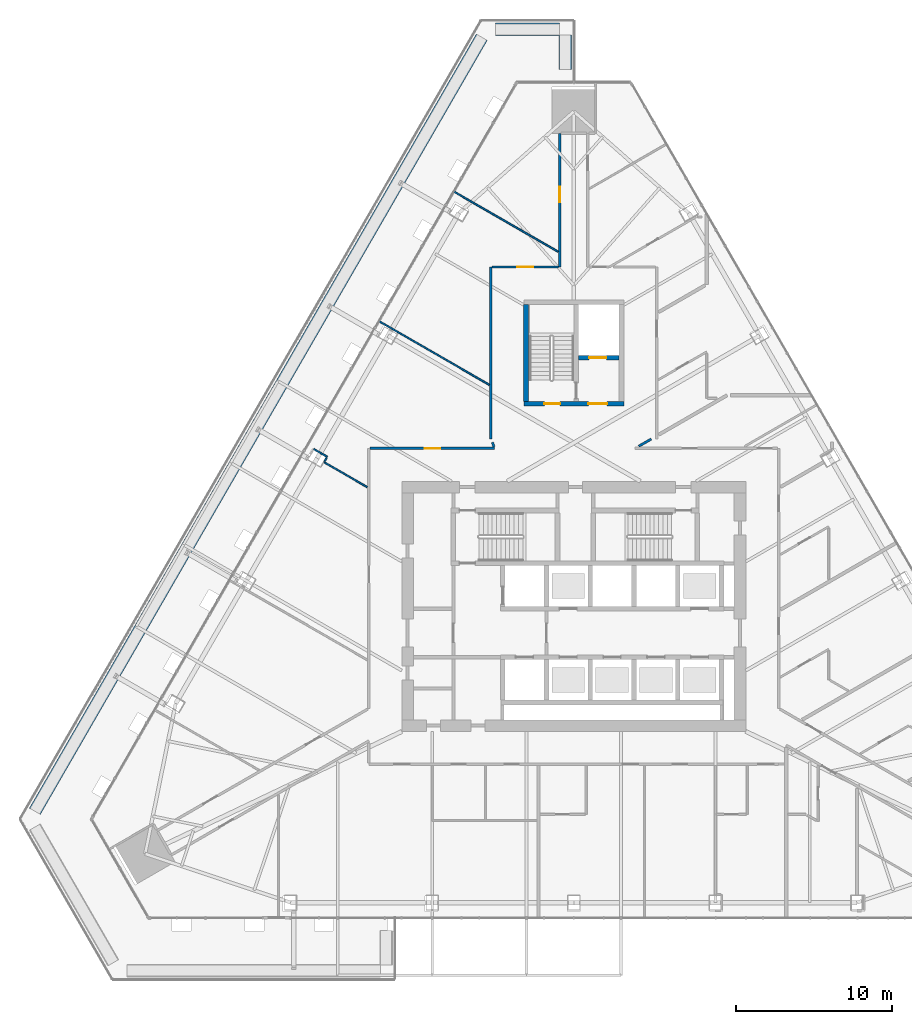
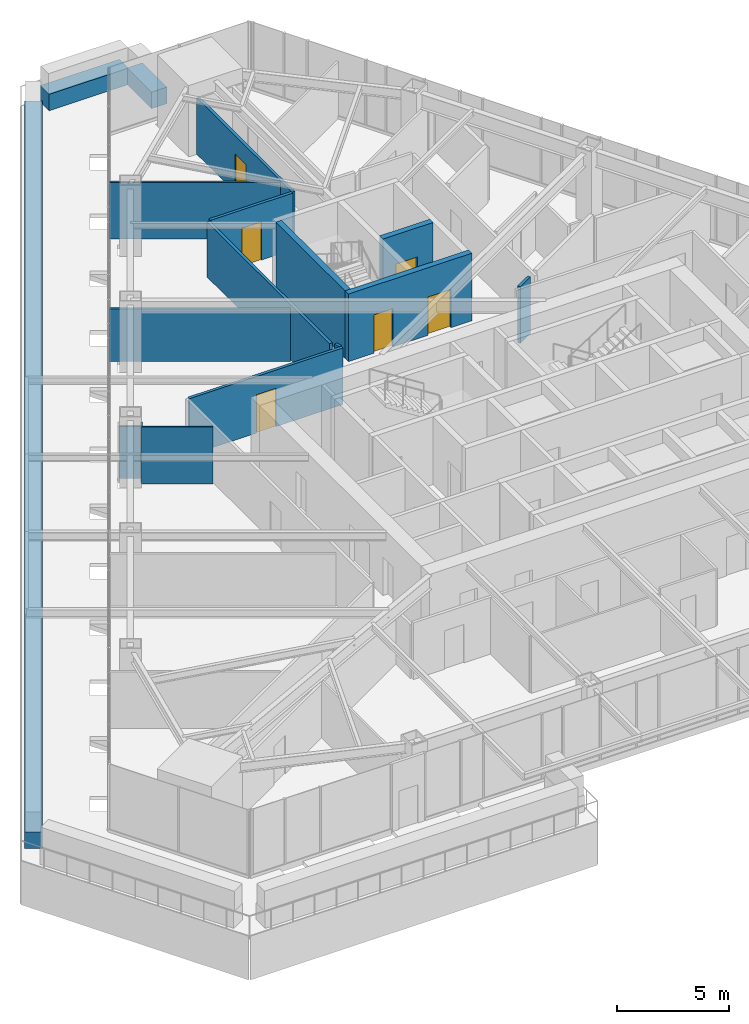
# One storey, part 30 of 35: 17 walls, 6 doors, 6 openings.
"""IFC4 building model written with IfcOpenShell, lengths in metres."""

from ifc_helpers import new_model, si_unit, direction, frame, frame_2d, origin, place, context, subcontext, project, spatial, rectangle, extrude, material, layer, layer_set, type_object, element, fill, save


model = new_model("IFC4")

# Units and contexts
model_context = context("Model", 3, precision=1e-05, world=origin(), true_north=direction((0.0, 1.0)))
body_context = subcontext(model_context, "Body", "Model", "MODEL_VIEW")
ifc_project = project(units=[si_unit("LENGTHUNIT", "METRE"), si_unit("AREAUNIT", "SQUARE_METRE"), si_unit("VOLUMEUNIT", "CUBIC_METRE"), si_unit("PLANEANGLEUNIT", "RADIAN"), si_unit("MASSUNIT", "GRAM", prefix="KILO")], contexts=[model_context])

# Site, building, storey
site_placement = place(None, origin())
site = spatial("IfcSite", under=ifc_project, at=site_placement, CompositionType="ELEMENT")
building_placement = place(site_placement, origin())
building = spatial("IfcBuilding", under=site, at=building_placement, Name="Firuza Gate Tower and Library", CompositionType="ELEMENT")
storey_placement = place(building_placement, frame((0.0, 0.0, 159.699951171875)))
storey = spatial("IfcBuildingStorey", under=building, at=storey_placement, Name="L36", CompositionType="ELEMENT", Elevation=159.699951171875)

# Wall, openings, doors
ifc_material_1 = material(Name="Concrete C80/95", Category="concrete")
ifc_layer_1 = layer(ifc_material_1, 0.300048828125)
ifc_layer_set_1 = layer_set([ifc_layer_1], Name="Core wall 300 C80/95")
wall_type_1 = type_object("IfcWallType", Name="Core wall 300 C80/95", PredefinedType="SHEAR", material=ifc_layer_set_1)
wall_1_placement = place(storey_placement, frame((71.800048828125, 87.949951171875, 0.0), z_axis=(0.0, 0.0, 1.0), x_axis=(1.0, 0.0, 0.0)))
wall_1 = element("IfcWall", 1, at=wall_1_placement, inside=storey, type_object=wall_type_1, Name="Core wall L36 27", PredefinedType="SHEAR", context=body_context, shape_type="SweptSolid", body=[
    extrude(rectangle(XDim=6.39990234375, YDim=0.300048828125, at=frame_2d((3.199951171875, 0.0))), origin(), (0.0, 0.0, 1.0), 3.699951171875),
])
opening_1_placement = place(wall_1_placement, frame((1.324951171875, 0.0, 0.0)))
opening_1 = element("IfcOpeningElement", 2, at=opening_1_placement, cuts=wall_1, Name="Opening L36-K15", PredefinedType="OPENING", context=body_context, shape_type="SweptSolid", body=[
    extrude(rectangle(XDim=1.0, YDim=2.10009765625, at=frame_2d((0.5, 1.050048828125))), frame((0.0, 0.16015625, 0.0), z_axis=(0.0, -1.0, 0.0), x_axis=(1.0, 0.0, 0.0)), (0.0, 0.0, 1.0), 0.320068359375),
])
opening_2_placement = place(wall_1_placement, frame((4.125, 0.0, 0.0)))
opening_2 = element("IfcOpeningElement", 3, at=opening_2_placement, cuts=wall_1, Name="Opening L36-K17", PredefinedType="OPENING", context=body_context, shape_type="SweptSolid", body=[
    extrude(rectangle(XDim=1.199951171875, YDim=2.10009765625, at=frame_2d((0.60009765625, 1.050048828125))), frame((0.0, 0.16015625, 0.0), z_axis=(0.0, -1.0, 0.0), x_axis=(1.0, 0.0, 0.0)), (0.0, 0.0, 1.0), 0.320068359375),
])
ifc_material_2 = material(Name="Steel", Category="steel")
door_type_1 = type_object("IfcDoorType", Name="Fire door 1000x2100 FD90", OperationType="NOTDEFINED", PredefinedType="DOOR", material=ifc_material_2)
door_1_placement = place(opening_1_placement, origin())
door_1 = element("IfcDoor", 4, at=door_1_placement, inside=storey, type_object=door_type_1, Name="Door L36-K15", OperationType="SINGLE_SWING_RIGHT", OverallHeight=2.10009765625, OverallWidth=1.0, PredefinedType="DOOR", context=body_context, shape_type="SweptSolid", body=[
    extrude(rectangle(XDim=1.0, YDim=2.10009765625, at=frame_2d((0.5, 1.050048828125))), frame((0.0, 0.02490234375, 0.0), z_axis=(0.0, -1.0, 0.0), x_axis=(1.0, 0.0, 0.0)), (0.0, 0.0, 1.0), 0.050048828125),
])
fill(opening_1, door_1)
ifc_material_3 = material(Name="Steel", Category="steel")
door_type_2 = type_object("IfcDoorType", Name="Fire door 1200x2100 FD30S", OperationType="NOTDEFINED", PredefinedType="DOOR", material=ifc_material_3)
door_2_placement = place(opening_2_placement, origin())
door_2 = element("IfcDoor", 5, at=door_2_placement, inside=storey, type_object=door_type_2, Name="Door L36-K17", OperationType="SINGLE_SWING_RIGHT", OverallHeight=2.10009765625, OverallWidth=1.199951171875, PredefinedType="DOOR", context=body_context, shape_type="SweptSolid", body=[
    extrude(rectangle(XDim=1.199951171875, YDim=2.10009765625, at=frame_2d((0.60009765625, 1.050048828125))), frame((0.0, 0.02490234375, 0.0), z_axis=(0.0, -1.0, 0.0), x_axis=(1.0, 0.0, 0.0)), (0.0, 0.0, 1.0), 0.050048828125),
])
fill(opening_2, door_2)

# Wall
wall_2_placement = place(storey_placement, frame((71.949951171875, 88.10009765625, 0.0), z_axis=(0.0, 0.0, 1.0), x_axis=(0.0, 1.0, 0.0)))
element("IfcWall", 6, at=wall_2_placement, inside=storey, type_object=wall_type_1, Name="Core wall L36 29", PredefinedType="SHEAR", context=body_context, shape_type="SweptSolid", body=[
    extrude(rectangle(XDim=6.199951171875, YDim=0.300048828125, at=frame_2d((3.10009765625, 0.0))), origin(), (0.0, 0.0, 1.0), 3.699951171875),
])

# Wall, opening, door
wall_3_placement = place(storey_placement, frame((75.300048828125, 90.89990234375, 0.0), z_axis=(0.0, 0.0, 1.0), x_axis=(1.0, 0.0, 0.0)))
wall_3 = element("IfcWall", 7, at=wall_3_placement, inside=storey, type_object=wall_type_1, Name="Core wall L36 31", PredefinedType="SHEAR", context=body_context, shape_type="SweptSolid", body=[
    extrude(rectangle(XDim=2.599853515625, YDim=0.300048828125, at=frame_2d((1.2998046875, 0.0))), origin(), (0.0, 0.0, 1.0), 3.699951171875),
])
opening_3_placement = place(wall_3_placement, frame((0.675048828125, 0.0, 0.0)))
opening_3 = element("IfcOpeningElement", 8, at=opening_3_placement, cuts=wall_3, Name="Opening LD-SV1-L36", PredefinedType="OPENING", context=body_context, shape_type="SweptSolid", body=[
    extrude(rectangle(XDim=1.10009765625, YDim=2.10009765625, at=frame_2d((0.550048828125, 1.050048828125))), frame((0.0, 0.16015625, 0.0), z_axis=(0.0, -1.0, 0.0), x_axis=(1.0, 0.0, 0.0)), (0.0, 0.0, 1.0), 0.320068359375),
])
ifc_material_4 = material(Name="Stainless steel", Category="steel")
door_type_3 = type_object("IfcDoorType", Name="Lift landing door 1100x2100", OperationType="DOUBLE_DOOR_SLIDING", PredefinedType="DOOR", material=ifc_material_4)
door_3_placement = place(opening_3_placement, origin())
door_3 = element("IfcDoor", 9, at=door_3_placement, inside=storey, type_object=door_type_3, Name="Landing door SV1 L36", OperationType="DOUBLE_DOOR_SLIDING", OverallHeight=2.10009765625, OverallWidth=1.10009765625, PredefinedType="DOOR", context=body_context, shape_type="SweptSolid", body=[
    extrude(rectangle(XDim=1.10009765625, YDim=2.10009765625, at=frame_2d((0.550048828125, 1.050048828125))), frame((0.0, 0.02490234375, 0.0), z_axis=(0.0, -1.0, 0.0), x_axis=(1.0, 0.0, 0.0)), (0.0, 0.0, 1.0), 0.050048828125),
])
fill(opening_3, door_3)

ifc_material_5 = material(Name="Gypsum board partition")
ifc_layer_2 = layer(ifc_material_5, 0.14990234375)
ifc_layer_set_2 = layer_set([ifc_layer_2], Name="Corridor wall 150 double board on steel studs")
wall_type_2 = type_object("IfcWallType", Name="Corridor wall 150 double board on steel studs", PredefinedType="PARTITIONING", material=ifc_layer_set_2)
wall_4_placement = place(storey_placement, frame((61.9755859375, 85.10009765625, 0.0), z_axis=(0.0, 0.0, 1.0), x_axis=(1.0, 0.0, 0.0)))
wall_4 = element("IfcWall", 10, at=wall_4_placement, inside=storey, type_object=wall_type_2, Name="f:L36:w009", PredefinedType="PARTITIONING", context=body_context, shape_type="SweptSolid", body=[
    extrude(rectangle(XDim=7.95849609375, YDim=0.14990234375, at=frame_2d((3.979248046875, 0.0))), origin(), (0.0, 0.0, 1.0), 3.10009765625),
])
opening_4_placement = place(wall_4_placement, frame((3.479248046875, 0.0, 0.0)))
opening_4 = element("IfcOpeningElement", 11, at=opening_4_placement, cuts=wall_4, Name="Opening L36-09", PredefinedType="OPENING", context=body_context, shape_type="SweptSolid", body=[
    extrude(rectangle(XDim=1.0, YDim=2.10009765625, at=frame_2d((0.5, 1.050048828125))), frame((0.0, 0.0849609375, 0.0), z_axis=(0.0, -1.0, 0.0), x_axis=(1.0, 0.0, 0.0)), (0.0, 0.0, 1.0), 0.169921875),
])
ifc_material_6 = material(Name="Steel door and timber leaf", Category="steel")
door_type_4 = type_object("IfcDoorType", Name="Fire door 1000 x 2100 steel frame, timber leaf", OperationType="NOTDEFINED", PredefinedType="DOOR", material=ifc_material_6)
door_4_placement = place(opening_4_placement, origin())
door_4 = element("IfcDoor", 12, at=door_4_placement, inside=storey, type_object=door_type_4, Name="f:L36:d009", OperationType="SINGLE_SWING_LEFT", OverallHeight=2.10009765625, OverallWidth=1.0, PredefinedType="DOOR", context=body_context, shape_type="SweptSolid", body=[
    extrude(rectangle(XDim=1.0, YDim=2.10009765625, at=frame_2d((0.5, 1.050048828125))), frame((0.0, 0.02490234375, 0.0), z_axis=(0.0, -1.0, 0.0), x_axis=(1.0, 0.0, 0.0)), (0.0, 0.0, 1.0), 0.050048828125),
])
fill(opening_4, door_4)

wall_5_placement = place(storey_placement, frame((74.02490234375, 96.699951171875, 0.0), z_axis=(0.0, 0.0, 1.0), x_axis=(-1.0, 0.0, 0.0)))
wall_5 = element("IfcWall", 13, at=wall_5_placement, inside=storey, type_object=wall_type_2, Name="f:L36:w013", PredefinedType="PARTITIONING", context=body_context, shape_type="SweptSolid", body=[
    extrude(rectangle(XDim=4.24951171875, YDim=0.14990234375, at=frame_2d((2.124755859375, 0.0))), origin(), (0.0, 0.0, 1.0), 3.10009765625),
])
opening_5_placement = place(wall_5_placement, frame((1.624755859375, 0.0, 0.0)))
opening_5 = element("IfcOpeningElement", 14, at=opening_5_placement, cuts=wall_5, Name="Opening L36-12", PredefinedType="OPENING", context=body_context, shape_type="SweptSolid", body=[
    extrude(rectangle(XDim=1.0, YDim=2.10009765625, at=frame_2d((0.5, 1.050048828125))), frame((0.0, 0.0849609375, 0.0), z_axis=(0.0, -1.0, 0.0), x_axis=(1.0, 0.0, 0.0)), (0.0, 0.0, 1.0), 0.169921875),
])
door_5_placement = place(opening_5_placement, origin())
door_5 = element("IfcDoor", 15, at=door_5_placement, inside=storey, type_object=door_type_4, Name="f:L36:d012", OperationType="SINGLE_SWING_LEFT", OverallHeight=2.10009765625, OverallWidth=1.0, PredefinedType="DOOR", context=body_context, shape_type="SweptSolid", body=[
    extrude(rectangle(XDim=1.0, YDim=2.10009765625, at=frame_2d((0.5, 1.050048828125))), frame((0.0, 0.02490234375, 0.0), z_axis=(0.0, -1.0, 0.0), x_axis=(1.0, 0.0, 0.0)), (0.0, 0.0, 1.0), 0.050048828125),
])
fill(opening_5, door_5)

# Wall
wall_6_placement = place(storey_placement, frame((79.155517578125, 85.23974609375, 0.0), z_axis=(0.0, 0.0, 1.0), x_axis=(0.866013213425, 0.500021113727, 0.0)))
element("IfcWall", 16, at=wall_6_placement, inside=storey, type_object=wall_type_2, Name="f:L36:w030", PredefinedType="PARTITIONING", context=body_context, shape_type="SweptSolid", body=[
    extrude(rectangle(XDim=0.919921875, YDim=0.14990234375, at=frame_2d((0.4599609375, 0.0))), origin(), (0.0, 0.0, 1.0), 3.10009765625),
])

# Wall, opening, door
wall_7_placement = place(storey_placement, frame((74.10009765625, 96.699951171875, 0.0), z_axis=(0.0, 0.0, 1.0), x_axis=(0.0, 1.0, 0.0)))
wall_7 = element("IfcWall", 17, at=wall_7_placement, inside=storey, type_object=wall_type_2, Name="f:L36:w058", PredefinedType="PARTITIONING", context=body_context, shape_type="SweptSolid", body=[
    extrude(rectangle(XDim=8.5419921875, YDim=0.14990234375, at=frame_2d((4.27099609375, 0.0))), origin(), (0.0, 0.0, 1.0), 3.10009765625),
])
opening_6_placement = place(wall_7_placement, frame((4.126708984375, 0.0, 0.0)))
opening_6 = element("IfcOpeningElement", 18, at=opening_6_placement, cuts=wall_7, Name="Opening L36-29", PredefinedType="OPENING", context=body_context, shape_type="SweptSolid", body=[
    extrude(rectangle(XDim=1.0, YDim=2.10009765625, at=frame_2d((0.5, 1.050048828125))), frame((0.0, 0.0849609375, 0.0), z_axis=(0.0, -1.0, 0.0), x_axis=(1.0, 0.0, 0.0)), (0.0, 0.0, 1.0), 0.169921875),
])
door_6_placement = place(opening_6_placement, origin())
door_6 = element("IfcDoor", 19, at=door_6_placement, inside=storey, type_object=door_type_4, Name="f:L36:d029", OperationType="SINGLE_SWING_LEFT", OverallHeight=2.10009765625, OverallWidth=1.0, PredefinedType="DOOR", context=body_context, shape_type="SweptSolid", body=[
    extrude(rectangle(XDim=1.0, YDim=2.10009765625, at=frame_2d((0.5, 1.050048828125))), frame((0.0, 0.02490234375, 0.0), z_axis=(0.0, -1.0, 0.0), x_axis=(1.0, 0.0, 0.0)), (0.0, 0.0, 1.0), 0.050048828125),
])
fill(opening_6, door_6)

# Walls
wall_8_placement = place(storey_placement, frame((69.699951171875, 85.700439453125, 0.0), z_axis=(0.0, 0.0, 1.0), x_axis=(0.0, 1.0, 0.0)))
element("IfcWall", 20, at=wall_8_placement, inside=storey, type_object=wall_type_2, Name="f:L36:w060", PredefinedType="PARTITIONING", context=body_context, shape_type="SweptSolid", body=[
    extrude(rectangle(XDim=10.9990234375, YDim=0.14990234375, at=frame_2d((5.49951171875, 0.0))), origin(), (0.0, 0.0, 1.0), 3.02197265625),
])
wall_9_placement = place(storey_placement, frame((69.8994140625, 85.200439453125, 0.0), z_axis=(0.0, 0.0, 1.0), x_axis=(-0.33638665492, 0.941723960825, 0.0)))
element("IfcWall", 21, at=wall_9_placement, inside=storey, type_object=wall_type_2, Name="f:L36:w066", PredefinedType="PARTITIONING", context=body_context, shape_type="SweptSolid", body=[
    extrude(rectangle(XDim=0.3076171875, YDim=0.14990234375, at=frame_2d((0.15380859375, 0.0))), origin(), (0.0, 0.0, 1.0), 3.10009765625),
])
ifc_material_7 = material(Name="Gypsum board partition")
ifc_layer_3 = layer(ifc_material_7, 0.10009765625)
ifc_layer_set_3 = layer_set([ifc_layer_3], Name="Partition 100 gypsum board on steel studs")
wall_type_3 = type_object("IfcWallType", Name="Partition 100 gypsum board on steel studs", PredefinedType="PARTITIONING", material=ifc_layer_set_3)
wall_10_placement = place(storey_placement, frame((59.056640625, 84.26318359375, 0.0), z_axis=(0.0, 0.0, 1.0), x_axis=(0.500264001326, 0.865872928886, 0.0)))
element("IfcWall", 22, at=wall_10_placement, inside=storey, type_object=wall_type_3, Name="f:L36:w037", PredefinedType="PARTITIONING", context=body_context, shape_type="SweptSolid", body=[
    extrude(rectangle(XDim=0.299072265625, YDim=0.10009765625, at=frame_2d((0.1494140625, 0.0))), origin(), (0.0, 0.0, 1.0), 3.10009765625),
])
wall_11_placement = place(storey_placement, frame((73.999267578125, 97.673095703125, 0.0), z_axis=(0.0, 0.0, 1.0), x_axis=(-0.86601864019, 0.500011714706, 0.0)))
element("IfcWall", 23, at=wall_11_placement, inside=storey, type_object=wall_type_3, Name="f:L36:w068", PredefinedType="PARTITIONING", context=body_context, shape_type="SweptSolid", body=[
    extrude(rectangle(XDim=7.695556640625, YDim=0.10009765625, at=frame_2d((3.84765625, 0.0))), origin(), (0.0, 0.0, 1.0), 3.10009765625),
])
wall_12_placement = place(storey_placement, frame((69.598876953125, 89.16552734375, 0.0), z_axis=(0.0, 0.0, 1.0), x_axis=(-0.866026732215, 0.499997699084, 0.0)))
element("IfcWall", 24, at=wall_12_placement, inside=storey, type_object=wall_type_3, Name="f:L36:w069", PredefinedType="PARTITIONING", context=body_context, shape_type="SweptSolid", body=[
    extrude(rectangle(XDim=8.138671875, YDim=0.10009765625, at=frame_2d((4.0693359375, 0.0))), origin(), (0.0, 0.0, 1.0), 2.864990234375),
])
wall_13_placement = place(storey_placement, frame((59.231201171875, 84.566162109375, 0.0), z_axis=(0.0, 0.0, 1.0), x_axis=(-0.866039090965, 0.499976292358, 0.0)))
element("IfcWall", 25, at=wall_13_placement, inside=storey, type_object=wall_type_3, Name="f:L36:w075", PredefinedType="PARTITIONING", context=body_context, shape_type="SweptSolid", body=[
    extrude(rectangle(XDim=0.9990234375, YDim=0.10009765625, at=frame_2d((0.49951171875, 0.0))), origin(), (0.0, 0.0, 1.0), 2.864990234375),
])
wall_14_placement = place(storey_placement, frame((61.799072265625, 82.62158203125, 0.0), z_axis=(0.0, 0.0, 1.0), x_axis=(-0.866015079179, 0.500017882314, 0.0)))
element("IfcWall", 26, at=wall_14_placement, inside=storey, type_object=wall_type_3, Name="f:L36:w076", PredefinedType="PARTITIONING", context=body_context, shape_type="SweptSolid", body=[
    extrude(rectangle(XDim=3.1953125, YDim=0.10009765625, at=frame_2d((1.59765625, 0.0))), origin(), (0.0, 0.0, 1.0), 3.10009765625),
])
ifc_material_8 = material(Name="Concrete C40/50", Category="concrete")
ifc_layer_4 = layer(ifc_material_8, 0.800048828125)
ifc_layer_set_4 = layer_set([ifc_layer_4], Name="Planter wall 800")
wall_type_4 = type_object("IfcWallType", Name="Planter wall 800", PredefinedType="SOLIDWALL", material=ifc_layer_set_4)
wall_15_placement = place(storey_placement, frame((74.449951171875, 109.34228515625, 0.0), z_axis=(0.0, 0.0, 1.0), x_axis=(0.0, 1.0, 0.0)))
element("IfcWall", 27, at=wall_15_placement, inside=storey, type_object=wall_type_4, Name="PLANTER L36 1", PredefinedType="SOLIDWALL", context=body_context, shape_type="SweptSolid", body=[
    extrude(rectangle(XDim=2.199951171875, YDim=0.800048828125, at=frame_2d((1.10009765625, 0.0))), origin(), (0.0, 0.0, 1.0), 0.900146484375),
])
wall_16_placement = place(storey_placement, frame((74.10009765625, 111.892333984375, 0.0), z_axis=(0.0, 0.0, 1.0), x_axis=(-1.0, 0.0, 0.0)))
element("IfcWall", 28, at=wall_16_placement, inside=storey, type_object=wall_type_4, Name="PLANTER L36 2", PredefinedType="SOLIDWALL", context=body_context, shape_type="SweptSolid", body=[
    extrude(rectangle(XDim=4.109619140625, YDim=0.800048828125, at=frame_2d((2.0546875, 0.0))), origin(), (0.0, 0.0, 1.0), 0.900146484375),
])
wall_17_placement = place(storey_placement, frame((69.116943359375, 111.387939453125, 0.0), z_axis=(0.0, 0.0, 1.0), x_axis=(-0.49999896751, -0.866025999892, 0.0)))
element("IfcWall", 29, at=wall_17_placement, inside=storey, type_object=wall_type_4, Name="PLANTER L36 3", PredefinedType="SOLIDWALL", context=body_context, shape_type="SweptSolid", body=[
    extrude(rectangle(XDim=57.142578125, YDim=0.800048828125, at=frame_2d((28.5712890625, 0.0))), origin(), (0.0, 0.0, 1.0), 0.900146484375),
])

save(model, "model.ifc")
